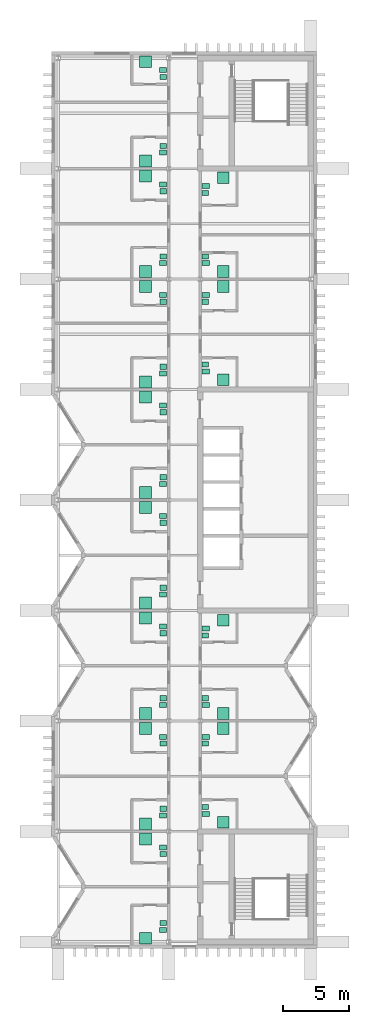
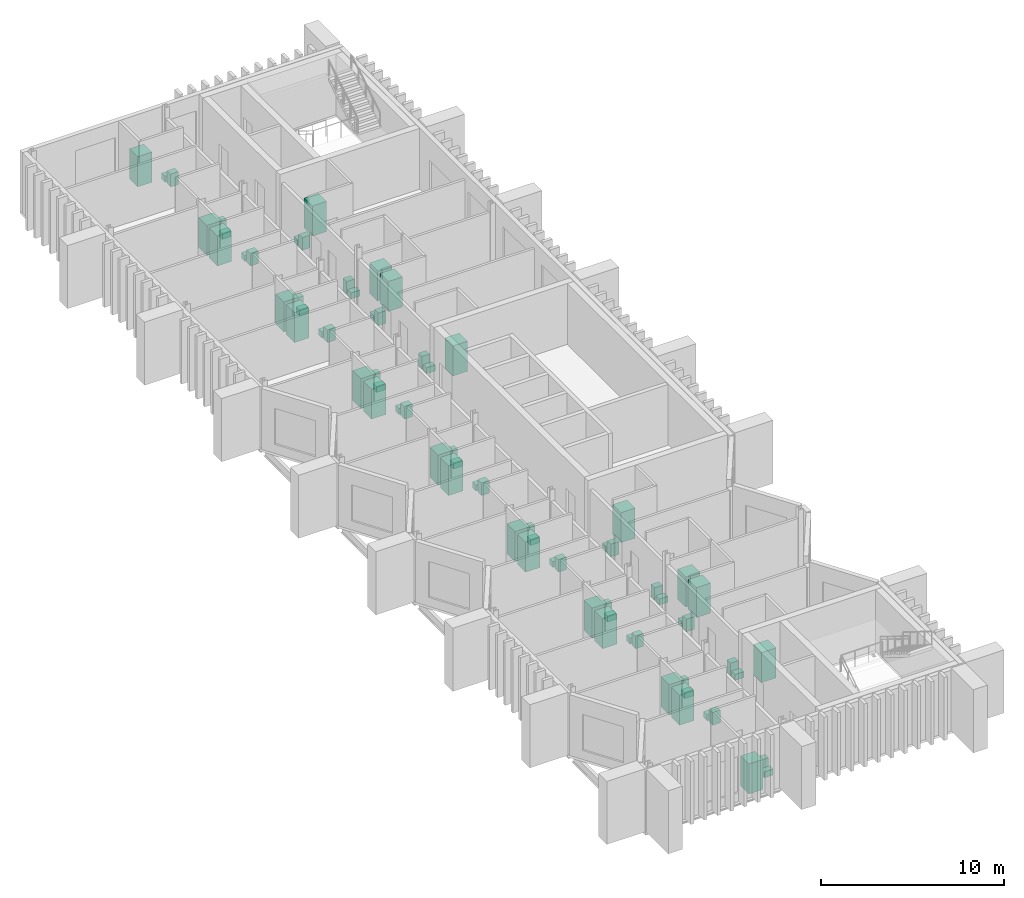
# One storey, part 11 of 11: 72 sanitary terminals.
"""IFC4 building model written with IfcOpenShell, lengths in metres."""

import ifcopenshell
import ifcopenshell.guid

model = None  # the IFC model being written
_history = None  # IfcOwnerHistory: only IFC2X3 demands one
_inside = {}  # id of a spatial element -> (the spatial element, [elements in it])
_under = {}  # id of a project, library or spatial element -> (it, [spatial elements below it])
_declared = {}  # id of a project -> (the project, [libraries it declares])
_typed = {}  # id of a type object -> (the type object, [elements of that type])
_made_of = {}  # id of a material, layer set ... -> (it, [elements and type objects made of it])


def new_model(schema):
    """Start an empty IFC model of exactly this schema.

    Asked for "IFC4X3", IfcOpenShell would pick the latest addendum, in which some entities
    have other attributes; the version numbers below select the first issue.
    IFC2X3 requires an IfcOwnerHistory on every rooted entity: one is made here for all.
    """
    global model, _history
    if schema == "IFC4X3":
        model = ifcopenshell.file(schema_version=(4, 3, 0, 0))
    else:
        model = ifcopenshell.file(schema=schema)
    _inside.clear()
    _under.clear()
    _declared.clear()
    _typed.clear()
    _made_of.clear()
    _history = None
    if model.schema == "IFC2X3":
        org = make("IfcOrganization", Name="unknown")
        user = make(
            "IfcPersonAndOrganization",
            ThePerson=make("IfcPerson", FamilyName="unknown"),
            TheOrganization=org,
        )
        app = make(
            "IfcApplication",
            ApplicationDeveloper=org,
            Version="unknown",
            ApplicationFullName="unknown",
            ApplicationIdentifier="unknown",
        )
        _history = make(
            "IfcOwnerHistory",
            OwningUser=user,
            OwningApplication=app,
            ChangeAction="ADDED",
            CreationDate=0,
        )
    return model


def make(cls, **values):
    """One entity of the class cls with the attributes given. An attribute that is None is left unset."""
    return model.create_entity(
        cls, **{name: value for name, value in values.items() if value is not None}
    )


def rooted(cls, **values):
    """An entity with a GlobalId (a new one), such as an element, a storey or a relation."""
    return make(cls, GlobalId=ifcopenshell.guid.new(), OwnerHistory=_history, **values)


def si_unit(unit_type, name, prefix=None):
    """IfcSIUnit, for example si_unit("LENGTHUNIT", "METRE", prefix="MILLI")."""
    return make("IfcSIUnit", UnitType=unit_type, Prefix=prefix, Name=name)


def assignment(units):
    """IfcUnitAssignment: the units of a project."""
    return None if units is None else make("IfcUnitAssignment", Units=units)


def point(xyz):
    """IfcCartesianPoint."""
    return None if xyz is None else make("IfcCartesianPoint", Coordinates=xyz)


def direction(xyz):
    """IfcDirection."""
    return None if xyz is None else make("IfcDirection", DirectionRatios=xyz)


def frame(location, z_axis=None, x_axis=None):
    """IfcAxis2Placement3D, a coordinate frame: its origin and axes. An axis left out is left unset."""
    return make(
        "IfcAxis2Placement3D",
        Location=point(location),
        Axis=direction(z_axis),
        RefDirection=direction(x_axis),
    )


def frame_2d(location, x_axis=None):
    """IfcAxis2Placement2D, a coordinate frame in the plane: its origin and x axis."""
    return make(
        "IfcAxis2Placement2D", Location=point(location), RefDirection=direction(x_axis)
    )


def origin():
    """The frame at (0, 0, 0) with its axes left unset."""
    return frame((0.0, 0.0, 0.0))


def origin_2d():
    """The frame at (0, 0) in the plane with its x axis left unset."""
    return frame_2d((0.0, 0.0))


def place(relative_to, where):
    """IfcLocalPlacement: puts the frame where relative to a parent placement (None: the world)."""
    return make(
        "IfcLocalPlacement", PlacementRelTo=relative_to, RelativePlacement=where
    )


def context(
    kind, dimensions, precision=None, world=None, true_north=None, identifier=None
):
    """IfcGeometricRepresentationContext, for example the 3D "Model" context."""
    return make(
        "IfcGeometricRepresentationContext",
        ContextIdentifier=identifier,
        ContextType=kind,
        CoordinateSpaceDimension=dimensions,
        Precision=precision,
        WorldCoordinateSystem=world,
        TrueNorth=true_north,
    )


def subcontext(parent, identifier, kind, view, scale=None):
    """IfcGeometricRepresentationSubContext, for example "Body" below "Model"."""
    return make(
        "IfcGeometricRepresentationSubContext",
        ContextIdentifier=identifier,
        ContextType=kind,
        ParentContext=parent,
        TargetScale=scale,
        TargetView=view,
    )


def project(units=None, contexts=None):
    """IfcProject with its units and contexts."""
    return rooted(
        "IfcProject",
        Name="project",
        RepresentationContexts=contexts,
        UnitsInContext=assignment(units),
    )


def spatial(cls, under=None, at=None, **own):
    """A site, building, storey or space (cls), placed at a placement, below another one or the project."""
    s = rooted(cls, ObjectPlacement=at, **own)
    if under is not None:
        _under.setdefault(under.id(), (under, []))[1].append(s)
    return s


def profile(cls, at=None, kind="AREA", **sizes):
    """A parametric profile (cls). Its sizes go by their IFC names, for example OverallWidth=200.0."""
    return make(cls, ProfileType=kind, Position=at, **sizes)


def rectangle(**sizes):
    """IfcRectangleProfileDef."""
    return profile("IfcRectangleProfileDef", **sizes)


def extrude(swept, where, along, depth):
    """IfcExtrudedAreaSolid: the profile swept, set in the frame where, extruded along a direction by depth."""
    return make(
        "IfcExtrudedAreaSolid",
        SweptArea=swept,
        Position=where,
        ExtrudedDirection=direction(along),
        Depth=depth,
    )


def shape(context_of_items, identifier, shape_type, items):
    """IfcShapeRepresentation: the items that make up one representation, for example the "Body"."""
    return make(
        "IfcShapeRepresentation",
        ContextOfItems=context_of_items,
        RepresentationIdentifier=identifier,
        RepresentationType=shape_type,
        Items=items,
    )


def material(Name=None, Category=None):
    """IfcMaterial."""
    return make("IfcMaterial", Name=Name, Category=Category)


def made_of(thing, what):
    """Note that an element or type object is made of a material, layer set ...; save() writes the relation."""
    if what is not None:
        _made_of.setdefault(what.id(), (what, []))[1].append(thing)
    return thing


def type_object(cls, material=None, **own):
    """A type object (cls), such as IfcWallType, which elements share."""
    return made_of(rooted(cls, **own), material)


def element(
    cls,
    number,
    at=None,
    inside=None,
    cuts=None,
    type_object=None,
    material=None,
    context=None,
    identifier="Body",
    shape_type=None,
    held_by="IfcProductDefinitionShape",
    body=None,
    shapes=None,
    **own,
):
    """One element of the class cls, such as IfcWall. Its Tag is "e" and its number.

    at: its placement. inside: the storey or other place that contains it. cuts: it is an
    opening in that element (IfcRelVoidsElement). A single representation is given by context,
    identifier, shape_type and body (its items); several are given by shapes. held_by: the class
    of the entity that holds the representations. save() writes the other relations.
    """
    e = rooted(cls, Tag="e%d" % number, ObjectPlacement=at, **own)
    if body is not None:
        shapes = [shape(context, identifier, shape_type, body)]
    if shapes is not None:
        e.Representation = make(held_by, Representations=shapes)
    if inside is not None:
        _inside.setdefault(inside.id(), (inside, []))[1].append(e)
    if cuts is not None:
        rooted(
            "IfcRelVoidsElement", RelatingBuildingElement=cuts, RelatedOpeningElement=e
        )
    if type_object is not None:
        _typed.setdefault(type_object.id(), (type_object, []))[1].append(e)
    return made_of(e, material)


def aggregate(whole, parts):
    """IfcRelAggregates: a whole, such as a stair, and the parts it consists of."""
    return rooted("IfcRelAggregates", RelatingObject=whole, RelatedObjects=parts)


def save(model, path):
    """Write the relations noted so far, then the file.

    IfcRelAggregates (storeys below a building ...), IfcRelContainedInSpatialStructure (elements
    in a storey), IfcRelDefinesByType, IfcRelAssociatesMaterial and IfcRelDeclares: one each for
    every whole, place, type object, material and project.
    """
    for whole, parts in _under.values():
        aggregate(whole, parts)
    for where, things in _inside.values():
        rooted(
            "IfcRelContainedInSpatialStructure",
            RelatedElements=things,
            RelatingStructure=where,
        )
    for kind, things in _typed.values():
        rooted("IfcRelDefinesByType", RelatedObjects=things, RelatingType=kind)
    for what, things in _made_of.values():
        rooted("IfcRelAssociatesMaterial", RelatedObjects=things, RelatingMaterial=what)
    for by, libraries in _declared.values():
        rooted("IfcRelDeclares", RelatingContext=by, RelatedDefinitions=libraries)
    model.write(path)


model = new_model("IFC4")

# Units and contexts
model_context = context("Model", 3, precision=1e-05, world=origin(), true_north=direction((0.0, 1.0)))
body_context = subcontext(model_context, "Body", "Model", "MODEL_VIEW")
ifc_project = project(units=[si_unit("LENGTHUNIT", "METRE"), si_unit("AREAUNIT", "SQUARE_METRE"), si_unit("VOLUMEUNIT", "CUBIC_METRE"), si_unit("PLANEANGLEUNIT", "RADIAN"), si_unit("MASSUNIT", "GRAM", prefix="KILO")], contexts=[model_context])

# Site, building, storey
site_placement = place(None, origin())
site = spatial("IfcSite", under=ifc_project, at=site_placement, CompositionType="ELEMENT")
building_placement = place(site_placement, origin())
building = spatial("IfcBuilding", under=site, at=building_placement, Name="Cresset Court Congress Hotel", CompositionType="ELEMENT")
storey_placement = place(building_placement, frame((0.0, 0.0, 52.199951171875)))
storey = spatial("IfcBuildingStorey", under=building, at=storey_placement, Name="L12", CompositionType="ELEMENT", Elevation=52.199951171875)

# Sanitary terminals
ifc_material_1 = material(Name="Acrylic")
sanitary_terminal_type_1 = type_object("IfcSanitaryTerminalType", Name="Shower enclosure 900x900", PredefinedType="SHOWER", material=ifc_material_1)
for number, where, z_axis, x_axis, name in (
    (1, (163.85009765625, 0.280029296875, 0.0), (0.0, 0.0, 1.0), (1.0, 0.0, 0.0), "Shower enclosure 900x900 1201"),
    (2, (163.85009765625, 7.824951171875, 0.0), (0.0, 0.0, 1.0), (1.0, 0.0, 0.0), "Shower enclosure 900x900 1202"),
    (3, (163.85009765625, 8.97509765625, 0.0), (0.0, 0.0, 1.0), (1.0, 0.0, 0.0), "Shower enclosure 900x900 1203"),
    (4, (163.85009765625, 16.22509765625, 0.0), (0.0, 0.0, 1.0), (1.0, 0.0, 0.0), "Shower enclosure 900x900 1204"),
    (5, (163.85009765625, 17.375, 0.0), (0.0, 0.0, 1.0), (1.0, 0.0, 0.0), "Shower enclosure 900x900 1205"),
    (6, (163.85009765625, 24.625, 0.0), (0.0, 0.0, 1.0), (1.0, 0.0, 0.0), "Shower enclosure 900x900 1206"),
    (7, (163.85009765625, 25.77490234375, 0.0), (0.0, 0.0, 1.0), (1.0, 0.0, 0.0), "Shower enclosure 900x900 1207"),
    (8, (163.85009765625, 33.02490234375, 0.0), (0.0, 0.0, 1.0), (1.0, 0.0, 0.0), "Shower enclosure 900x900 1208"),
    (9, (163.85009765625, 34.175048828125, 0.0), (0.0, 0.0, 1.0), (1.0, 0.0, 0.0), "Shower enclosure 900x900 1209"),
    (10, (163.85009765625, 41.425048828125, 0.0), (0.0, 0.0, 1.0), (1.0, 0.0, 0.0), "Shower enclosure 900x900 1210"),
    (11, (163.85009765625, 42.574951171875, 0.0), (0.0, 0.0, 1.0), (1.0, 0.0, 0.0), "Shower enclosure 900x900 1211"),
    (12, (163.85009765625, 49.824951171875, 0.0), (0.0, 0.0, 1.0), (1.0, 0.0, 0.0), "Shower enclosure 900x900 1212"),
    (13, (163.85009765625, 50.97509765625, 0.0), (0.0, 0.0, 1.0), (1.0, 0.0, 0.0), "Shower enclosure 900x900 1213"),
    (14, (163.85009765625, 58.22509765625, 0.0), (0.0, 0.0, 1.0), (1.0, 0.0, 0.0), "Shower enclosure 900x900 1214"),
    (15, (163.85009765625, 59.375, 0.0), (0.0, 0.0, 1.0), (1.0, 0.0, 0.0), "Shower enclosure 900x900 1215"),
    (16, (163.85009765625, 66.919921875, 0.0), (0.0, 0.0, 1.0), (1.0, 0.0, 0.0), "Shower enclosure 900x900 1216"),
    (17, (169.75, 9.10009765625, 0.0), (0.0, 0.0, 1.0), (1.0, 0.0, 0.0), "Shower enclosure 900x900 1217"),
    (18, (169.75, 16.22509765625, 0.0), (0.0, 0.0, 1.0), (1.0, 0.0, 0.0), "Shower enclosure 900x900 1218"),
    (19, (169.75, 17.375, 0.0), (0.0, 0.0, 1.0), (1.0, 0.0, 0.0), "Shower enclosure 900x900 1219"),
    (20, (169.75, 24.449951171875, 0.0), (0.0, 0.0, 1.0), (1.0, 0.0, 0.0), "Shower enclosure 900x900 1220"),
    (21, (169.75, 42.75, 0.0), (0.0, 0.0, 1.0), (1.0, 0.0, 0.0), "Shower enclosure 900x900 1221"),
    (22, (169.75, 49.824951171875, 0.0), (0.0, 0.0, 1.0), (1.0, 0.0, 0.0), "Shower enclosure 900x900 1222"),
    (23, (169.75, 50.97509765625, 0.0), (0.0, 0.0, 1.0), (1.0, 0.0, 0.0), "Shower enclosure 900x900 1223"),
    (24, (169.75, 58.10009765625, 0.0), (0.0, 0.0, 1.0), (1.0, 0.0, 0.0), "Shower enclosure 900x900 1224"),
):
    element("IfcSanitaryTerminal", number, at=place(storey_placement, frame(where, z_axis=z_axis, x_axis=x_axis)), inside=storey, type_object=sanitary_terminal_type_1, Name=name, PredefinedType="SHOWER", context=body_context, shape_type="SweptSolid", body=[
        extrude(rectangle(XDim=0.89990234375, YDim=0.89990234375, at=origin_2d()), origin(), (0.0, 0.0, 1.0), 2.0),
    ])
ifc_material_2 = material(Name="Vitreous china")
sanitary_terminal_type_2 = type_object("IfcSanitaryTerminalType", Name="Toilet pan 550x380", PredefinedType="TOILETPAN", material=ifc_material_2)
for number, where, z_axis, x_axis, name in (
    (25, (165.175048828125, 0.919921875, 0.0), (0.0, 0.0, 1.0), (1.0, 0.0, 0.0), "Toilet pan 550x380 1201"),
    (26, (165.175048828125, 7.18505859375, 0.0), (0.0, 0.0, 1.0), (1.0, 0.0, 0.0), "Toilet pan 550x380 1202"),
    (27, (165.175048828125, 9.614990234375, 0.0), (0.0, 0.0, 1.0), (1.0, 0.0, 0.0), "Toilet pan 550x380 1203"),
    (28, (165.175048828125, 15.5849609375, 0.0), (0.0, 0.0, 1.0), (1.0, 0.0, 0.0), "Toilet pan 550x380 1204"),
    (29, (165.175048828125, 18.014892578125, 0.0), (0.0, 0.0, 1.0), (1.0, 0.0, 0.0), "Toilet pan 550x380 1205"),
    (30, (165.175048828125, 23.985107421875, 0.0), (0.0, 0.0, 1.0), (1.0, 0.0, 0.0), "Toilet pan 550x380 1206"),
    (31, (165.175048828125, 26.4150390625, 0.0), (0.0, 0.0, 1.0), (1.0, 0.0, 0.0), "Toilet pan 550x380 1207"),
    (32, (165.175048828125, 32.385009765625, 0.0), (0.0, 0.0, 1.0), (1.0, 0.0, 0.0), "Toilet pan 550x380 1208"),
    (33, (165.175048828125, 34.81494140625, 0.0), (0.0, 0.0, 1.0), (1.0, 0.0, 0.0), "Toilet pan 550x380 1209"),
    (34, (165.175048828125, 40.784912109375, 0.0), (0.0, 0.0, 1.0), (1.0, 0.0, 0.0), "Toilet pan 550x380 1210"),
    (35, (165.175048828125, 43.215087890625, 0.0), (0.0, 0.0, 1.0), (1.0, 0.0, 0.0), "Toilet pan 550x380 1211"),
    (36, (165.175048828125, 49.18505859375, 0.0), (0.0, 0.0, 1.0), (1.0, 0.0, 0.0), "Toilet pan 550x380 1212"),
    (37, (165.175048828125, 51.614990234375, 0.0), (0.0, 0.0, 1.0), (1.0, 0.0, 0.0), "Toilet pan 550x380 1213"),
    (38, (165.175048828125, 57.5849609375, 0.0), (0.0, 0.0, 1.0), (1.0, 0.0, 0.0), "Toilet pan 550x380 1214"),
    (39, (165.175048828125, 60.014892578125, 0.0), (0.0, 0.0, 1.0), (1.0, 0.0, 0.0), "Toilet pan 550x380 1215"),
    (40, (165.175048828125, 66.280029296875, 0.0), (0.0, 0.0, 1.0), (1.0, 0.0, 0.0), "Toilet pan 550x380 1216"),
    (41, (168.425048828125, 9.739990234375, 0.0), (0.0, 0.0, 1.0), (1.0, 0.0, 0.0), "Toilet pan 550x380 1217"),
    (42, (168.425048828125, 15.5849609375, 0.0), (0.0, 0.0, 1.0), (1.0, 0.0, 0.0), "Toilet pan 550x380 1218"),
    (43, (168.425048828125, 18.014892578125, 0.0), (0.0, 0.0, 1.0), (1.0, 0.0, 0.0), "Toilet pan 550x380 1219"),
    (44, (168.425048828125, 23.81005859375, 0.0), (0.0, 0.0, 1.0), (1.0, 0.0, 0.0), "Toilet pan 550x380 1220"),
    (45, (168.425048828125, 43.389892578125, 0.0), (0.0, 0.0, 1.0), (1.0, 0.0, 0.0), "Toilet pan 550x380 1221"),
    (46, (168.425048828125, 49.18505859375, 0.0), (0.0, 0.0, 1.0), (1.0, 0.0, 0.0), "Toilet pan 550x380 1222"),
    (47, (168.425048828125, 51.614990234375, 0.0), (0.0, 0.0, 1.0), (1.0, 0.0, 0.0), "Toilet pan 550x380 1223"),
    (48, (168.425048828125, 57.4599609375, 0.0), (0.0, 0.0, 1.0), (1.0, 0.0, 0.0), "Toilet pan 550x380 1224"),
):
    element("IfcSanitaryTerminal", number, at=place(storey_placement, frame(where, z_axis=z_axis, x_axis=x_axis)), inside=storey, type_object=sanitary_terminal_type_2, Name=name, PredefinedType="TOILETPAN", context=body_context, shape_type="SweptSolid", body=[
        extrude(rectangle(XDim=0.550048828125, YDim=0.3798828125, at=origin_2d()), origin(), (0.0, 0.0, 1.0), 0.39990234375),
    ])
ifc_material_3 = material(Name="Vitreous china")
sanitary_terminal_type_3 = type_object("IfcSanitaryTerminalType", Name="Wash basin 500x400", PredefinedType="WASHHANDBASIN", material=ifc_material_3)
for number, where, z_axis, x_axis, name in (
    (49, (165.199951171875, 1.429931640625, 0.0), (0.0, 0.0, 1.0), (1.0, 0.0, 0.0), "Wash basin 500x400 1201"),
    (50, (165.199951171875, 6.675048828125, 0.0), (0.0, 0.0, 1.0), (1.0, 0.0, 0.0), "Wash basin 500x400 1202"),
    (51, (165.199951171875, 10.125, 0.0), (0.0, 0.0, 1.0), (1.0, 0.0, 0.0), "Wash basin 500x400 1203"),
    (52, (165.199951171875, 15.074951171875, 0.0), (0.0, 0.0, 1.0), (1.0, 0.0, 0.0), "Wash basin 500x400 1204"),
    (53, (165.199951171875, 18.52490234375, 0.0), (0.0, 0.0, 1.0), (1.0, 0.0, 0.0), "Wash basin 500x400 1205"),
    (54, (165.199951171875, 23.47509765625, 0.0), (0.0, 0.0, 1.0), (1.0, 0.0, 0.0), "Wash basin 500x400 1206"),
    (55, (165.199951171875, 26.925048828125, 0.0), (0.0, 0.0, 1.0), (1.0, 0.0, 0.0), "Wash basin 500x400 1207"),
    (56, (165.199951171875, 31.875, 0.0), (0.0, 0.0, 1.0), (1.0, 0.0, 0.0), "Wash basin 500x400 1208"),
    (57, (165.199951171875, 35.324951171875, 0.0), (0.0, 0.0, 1.0), (1.0, 0.0, 0.0), "Wash basin 500x400 1209"),
    (58, (165.199951171875, 40.27490234375, 0.0), (0.0, 0.0, 1.0), (1.0, 0.0, 0.0), "Wash basin 500x400 1210"),
    (59, (165.199951171875, 43.72509765625, 0.0), (0.0, 0.0, 1.0), (1.0, 0.0, 0.0), "Wash basin 500x400 1211"),
    (60, (165.199951171875, 48.675048828125, 0.0), (0.0, 0.0, 1.0), (1.0, 0.0, 0.0), "Wash basin 500x400 1212"),
    (61, (165.199951171875, 52.125, 0.0), (0.0, 0.0, 1.0), (1.0, 0.0, 0.0), "Wash basin 500x400 1213"),
    (62, (165.199951171875, 57.074951171875, 0.0), (0.0, 0.0, 1.0), (1.0, 0.0, 0.0), "Wash basin 500x400 1214"),
    (63, (165.199951171875, 60.52490234375, 0.0), (0.0, 0.0, 1.0), (1.0, 0.0, 0.0), "Wash basin 500x400 1215"),
    (64, (165.199951171875, 65.77001953125, 0.0), (0.0, 0.0, 1.0), (1.0, 0.0, 0.0), "Wash basin 500x400 1216"),
    (65, (168.39990234375, 10.25, 0.0), (0.0, 0.0, 1.0), (1.0, 0.0, 0.0), "Wash basin 500x400 1217"),
    (66, (168.39990234375, 15.074951171875, 0.0), (0.0, 0.0, 1.0), (1.0, 0.0, 0.0), "Wash basin 500x400 1218"),
    (67, (168.39990234375, 18.52490234375, 0.0), (0.0, 0.0, 1.0), (1.0, 0.0, 0.0), "Wash basin 500x400 1219"),
    (68, (168.39990234375, 23.300048828125, 0.0), (0.0, 0.0, 1.0), (1.0, 0.0, 0.0), "Wash basin 500x400 1220"),
    (69, (168.39990234375, 43.89990234375, 0.0), (0.0, 0.0, 1.0), (1.0, 0.0, 0.0), "Wash basin 500x400 1221"),
    (70, (168.39990234375, 48.675048828125, 0.0), (0.0, 0.0, 1.0), (1.0, 0.0, 0.0), "Wash basin 500x400 1222"),
    (71, (168.39990234375, 52.125, 0.0), (0.0, 0.0, 1.0), (1.0, 0.0, 0.0), "Wash basin 500x400 1223"),
    (72, (168.39990234375, 56.949951171875, 0.0), (0.0, 0.0, 1.0), (1.0, 0.0, 0.0), "Wash basin 500x400 1224"),
):
    element("IfcSanitaryTerminal", number, at=place(storey_placement, frame(where, z_axis=z_axis, x_axis=x_axis)), inside=storey, type_object=sanitary_terminal_type_3, Name=name, PredefinedType="WASHHANDBASIN", context=body_context, shape_type="SweptSolid", body=[
        extrude(rectangle(XDim=0.5, YDim=0.39990234375, at=origin_2d()), origin(), (0.0, 0.0, 1.0), 0.85009765625),
    ])

save(model, "model.ifc")
